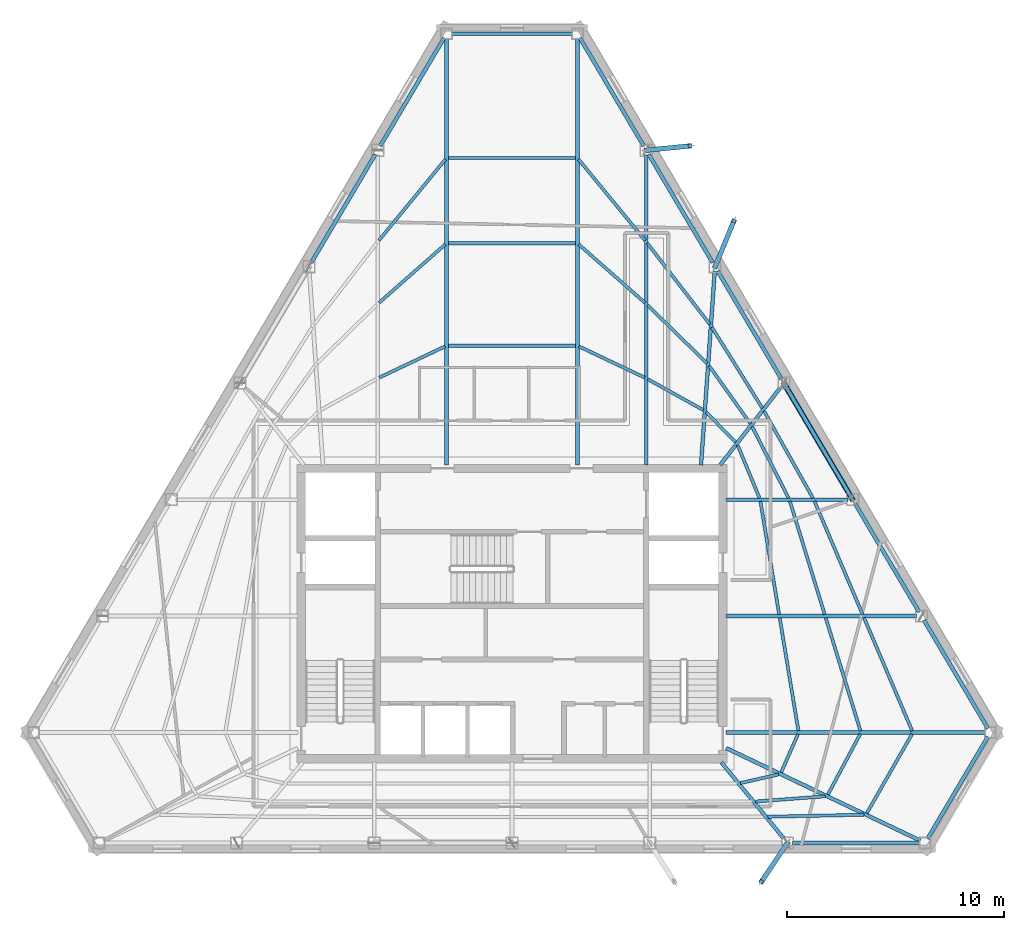
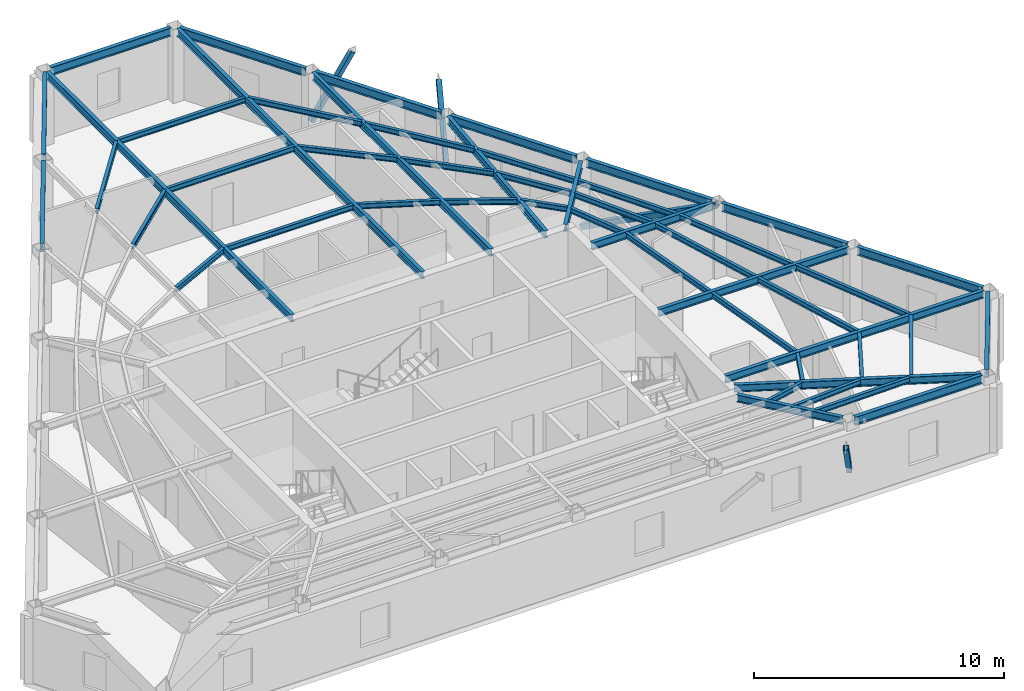
# One storey, part 2 of 10: 51 beams, 4 members.
"""IFC4 building model written with IfcOpenShell, lengths in metres."""

from ifc_helpers import new_model, si_unit, direction, frame, origin, origin_2d, place, context, subcontext, project, spatial, hollow_rectangle, i_section, extrude, material, material_profile, profile_set, type_object, element, save


model = new_model("IFC4")

# Units and contexts
model_context = context("Model", 3, precision=1e-05, world=origin(), true_north=direction((0.0, 1.0)))
body_context = subcontext(model_context, "Body", "Model", "MODEL_VIEW")
ifc_project = project(units=[si_unit("LENGTHUNIT", "METRE"), si_unit("AREAUNIT", "SQUARE_METRE"), si_unit("VOLUMEUNIT", "CUBIC_METRE"), si_unit("PLANEANGLEUNIT", "RADIAN"), si_unit("MASSUNIT", "GRAM", prefix="KILO")], contexts=[model_context])

# Site, building, storey
site_placement = place(None, origin())
site = spatial("IfcSite", under=ifc_project, at=site_placement, CompositionType="ELEMENT")
building_placement = place(site_placement, origin())
building = spatial("IfcBuilding", under=site, at=building_placement, Name="Kavelnor Concourse Tower", CompositionType="ELEMENT")
storey_placement = place(building_placement, frame((0.0, 0.0, 274.14990234375)))
storey = spatial("IfcBuildingStorey", under=building, at=storey_placement, Name="L69", CompositionType="ELEMENT", Elevation=274.14990234375)

# Beams
ifc_material = material(Name="Steel Grade 350", Category="steel")
ifc_material_profile_1 = material_profile(ifc_material, i_section(OverallWidth=0.14599609375, OverallDepth=0.256103515625, WebThickness=0.00634765625, FlangeThickness=0.010986328125, at=origin_2d()), Name="250UB37")
ifc_profile_set_1 = profile_set([ifc_material_profile_1], Name="Steel Grade 350")
beam_type_1 = type_object("IfcBeamType", Name="BM-JOIST-250", PredefinedType="JOIST", material=ifc_profile_set_1)
beam_1_placement = place(storey_placement, frame((48.5234375, 8.293212890625, 3.482177734375), z_axis=(0.975037356762, 0.222040881188, 0.0), x_axis=(-0.222040881188, 0.975037356762, 0.0)))
element("IfcBeam", 1, at=beam_1_placement, inside=storey, type_object=beam_type_1, Name="L69 Secondary Composite Joist 08-1", PredefinedType="JOIST", context=body_context, shape_type="SweptSolid", body=[
    extrude(i_section(OverallWidth=0.14599609375, OverallDepth=0.256103515625, WebThickness=0.00634765625, FlangeThickness=0.010986328125, at=origin_2d()), origin(), (0.0, 0.0, 1.0), 1.809814453125),
])
beam_2_placement = place(storey_placement, frame((49.210693359375, 7.44482421875, 3.482177734375), z_axis=(0.997260120834, 0.073974667245, 0.0), x_axis=(-0.073974667245, 0.997260120834, 0.0)))
element("IfcBeam", 2, at=beam_2_placement, inside=storey, type_object=beam_type_1, Name="L69 Secondary Composite Joist 08-2", PredefinedType="JOIST", context=body_context, shape_type="SweptSolid", body=[
    extrude(i_section(OverallWidth=0.14599609375, OverallDepth=0.256103515625, WebThickness=0.00634765625, FlangeThickness=0.010986328125, at=origin_2d()), origin(), (0.0, 0.0, 1.0), 3.23095703125),
])
beam_3_placement = place(storey_placement, frame((49.781982421875, 6.743408203125, 3.482177734375), z_axis=(0.999783986055, 0.0207841581, 0.0), x_axis=(-0.0207841581, 0.999783986055, 0.0)))
element("IfcBeam", 3, at=beam_3_placement, inside=storey, type_object=beam_type_1, Name="L69 Secondary Composite Joist 08-3", PredefinedType="JOIST", context=body_context, shape_type="SweptSolid", body=[
    extrude(i_section(OverallWidth=0.14599609375, OverallDepth=0.256103515625, WebThickness=0.00634765625, FlangeThickness=0.010986328125, at=origin_2d()), origin(), (0.0, 0.0, 1.0), 4.440185546875),
])
beam_4_placement = place(storey_placement, frame((50.401123046875, 8.788330078125, 3.482177734375), z_axis=(0.40265770896, 0.91535062649, 0.0), x_axis=(-0.91535062649, 0.40265770896, 0.0)))
element("IfcBeam", 4, at=beam_4_placement, inside=storey, type_object=beam_type_1, Name="L69 Secondary Composite Joist 09-1", PredefinedType="JOIST", context=body_context, shape_type="SweptSolid", body=[
    extrude(i_section(OverallWidth=0.14599609375, OverallDepth=0.256103515625, WebThickness=0.00634765625, FlangeThickness=0.010986328125, at=origin_2d()), origin(), (0.0, 0.0, 1.0), 1.92138671875),
])
beam_5_placement = place(storey_placement, frame((52.552978515625, 7.76220703125, 3.482177734375), z_axis=(0.470371602225, 0.88246844466, 0.0), x_axis=(-0.88246844466, 0.470371602225, 0.0)))
element("IfcBeam", 5, at=beam_5_placement, inside=storey, type_object=beam_type_1, Name="L69 Secondary Composite Joist 09-2", PredefinedType="JOIST", context=body_context, shape_type="SweptSolid", body=[
    extrude(i_section(OverallWidth=0.14599609375, OverallDepth=0.256103515625, WebThickness=0.00634765625, FlangeThickness=0.010986328125, at=origin_2d()), origin(), (0.0, 0.0, 1.0), 3.158935546875),
])
beam_6_placement = place(storey_placement, frame((54.343994140625, 6.908447265625, 3.482177734375), z_axis=(0.496589958809, 0.86798526071, 0.0), x_axis=(-0.86798526071, 0.496589958809, 0.0)))
element("IfcBeam", 6, at=beam_6_placement, inside=storey, type_object=beam_type_1, Name="L69 Secondary Composite Joist 09-3", PredefinedType="JOIST", context=body_context, shape_type="SweptSolid", body=[
    extrude(i_section(OverallWidth=0.14599609375, OverallDepth=0.256103515625, WebThickness=0.00634765625, FlangeThickness=0.010986328125, at=origin_2d()), origin(), (0.0, 0.0, 1.0), 4.196533203125),
])
beam_7_placement = place(storey_placement, frame((51.1943359375, 10.703125, 3.482177734375), z_axis=(-0.163212884705, 0.986590874814, 0.0), x_axis=(-0.986590874814, -0.163212884705, 0.0)))
element("IfcBeam", 7, at=beam_7_placement, inside=storey, type_object=beam_type_1, Name="L69 Secondary Composite Joist 10-1", PredefinedType="JOIST", context=body_context, shape_type="SweptSolid", body=[
    extrude(i_section(OverallWidth=0.14599609375, OverallDepth=0.256103515625, WebThickness=0.00634765625, FlangeThickness=0.010986328125, at=origin_2d()), origin(), (0.0, 0.0, 1.0), 5.2744140625),
])
beam_8_placement = place(storey_placement, frame((54.05322265625, 10.70068359375, 3.482177734375), z_axis=(-0.293704851404, 0.955896155585, 0.0), x_axis=(-0.955896155585, -0.293704851404, 0.0)))
element("IfcBeam", 8, at=beam_8_placement, inside=storey, type_object=beam_type_1, Name="L69 Secondary Composite Joist 10-2", PredefinedType="JOIST", context=body_context, shape_type="SweptSolid", body=[
    extrude(i_section(OverallWidth=0.14599609375, OverallDepth=0.256103515625, WebThickness=0.00634765625, FlangeThickness=0.010986328125, at=origin_2d()), origin(), (0.0, 0.0, 1.0), 5.44873046875),
])
beam_9_placement = place(storey_placement, frame((56.4365234375, 10.69775390625, 3.482177734375), z_axis=(-0.391500058088, 0.920178083046, 0.0), x_axis=(-0.920178083046, -0.391500058088, 0.0)))
element("IfcBeam", 9, at=beam_9_placement, inside=storey, type_object=beam_type_1, Name="L69 Secondary Composite Joist 10-3", PredefinedType="JOIST", context=body_context, shape_type="SweptSolid", body=[
    extrude(i_section(OverallWidth=0.14599609375, OverallDepth=0.256103515625, WebThickness=0.00634765625, FlangeThickness=0.010986328125, at=origin_2d()), origin(), (0.0, 0.0, 1.0), 5.666748046875),
])
beam_10_placement = place(storey_placement, frame((50.306640625, 16.068603515625, 3.482177734375), z_axis=(-0.163220338599, 0.986589641679, 0.0), x_axis=(-0.986589641679, -0.163220338599, 0.0)))
element("IfcBeam", 10, at=beam_10_placement, inside=storey, type_object=beam_type_1, Name="L69 Secondary Composite Joist 11-1", PredefinedType="JOIST", context=body_context, shape_type="SweptSolid", body=[
    extrude(i_section(OverallWidth=0.14599609375, OverallDepth=0.256103515625, WebThickness=0.00634765625, FlangeThickness=0.010986328125, at=origin_2d()), origin(), (0.0, 0.0, 1.0), 5.274169921875),
])
beam_11_placement = place(storey_placement, frame((52.40478515625, 16.06591796875, 3.482177734375), z_axis=(-0.293745791729, 0.955883575464, 0.0), x_axis=(-0.955883575464, -0.293745791729, 0.0)))
element("IfcBeam", 11, at=beam_11_placement, inside=storey, type_object=beam_type_1, Name="L69 Secondary Composite Joist 11-2", PredefinedType="JOIST", context=body_context, shape_type="SweptSolid", body=[
    extrude(i_section(OverallWidth=0.14599609375, OverallDepth=0.256103515625, WebThickness=0.00634765625, FlangeThickness=0.010986328125, at=origin_2d()), origin(), (0.0, 0.0, 1.0), 5.448974609375),
])
beam_12_placement = place(storey_placement, frame((54.15380859375, 16.06298828125, 3.482177734375), z_axis=(-0.391463577144, 0.920193603417, 0.0), x_axis=(-0.920193603417, -0.391463577144, 0.0)))
element("IfcBeam", 12, at=beam_12_placement, inside=storey, type_object=beam_type_1, Name="L69 Secondary Composite Joist 11-3", PredefinedType="JOIST", context=body_context, shape_type="SweptSolid", body=[
    extrude(i_section(OverallWidth=0.14599609375, OverallDepth=0.256103515625, WebThickness=0.00634765625, FlangeThickness=0.010986328125, at=origin_2d()), origin(), (0.0, 0.0, 1.0), 5.66650390625),
])
beam_13_placement = place(storey_placement, frame((49.401123046875, 21.4287109375, 3.482177734375), z_axis=(-0.381956272645, 0.924180396777, 0.0), x_axis=(-0.924180396777, -0.381956272645, 0.0)))
element("IfcBeam", 13, at=beam_13_placement, inside=storey, type_object=beam_type_1, Name="L69 Secondary Composite Joist 12-1", PredefinedType="JOIST", context=body_context, shape_type="SweptSolid", body=[
    extrude(i_section(OverallWidth=0.14599609375, OverallDepth=0.256103515625, WebThickness=0.00634765625, FlangeThickness=0.010986328125, at=origin_2d()), origin(), (0.0, 0.0, 1.0), 2.63525390625),
])
beam_14_placement = place(storey_placement, frame((50.742919921875, 21.42578125, 3.482177734375), z_axis=(-0.454860774217, 0.890562561575, 0.0), x_axis=(-0.890562561575, -0.454860774217, 0.0)))
element("IfcBeam", 14, at=beam_14_placement, inside=storey, type_object=beam_type_1, Name="L69 Secondary Composite Joist 12-2", PredefinedType="JOIST", context=body_context, shape_type="SweptSolid", body=[
    extrude(i_section(OverallWidth=0.14599609375, OverallDepth=0.256103515625, WebThickness=0.00634765625, FlangeThickness=0.010986328125, at=origin_2d()), origin(), (0.0, 0.0, 1.0), 3.6953125),
])
beam_15_placement = place(storey_placement, frame((51.86328125, 21.42431640625, 3.482177734375), z_axis=(-0.489571652751, 0.87196307079, 0.0), x_axis=(-0.87196307079, -0.489571652751, 0.0)))
element("IfcBeam", 15, at=beam_15_placement, inside=storey, type_object=beam_type_1, Name="L69 Secondary Composite Joist 12-3", PredefinedType="JOIST", context=body_context, shape_type="SweptSolid", body=[
    extrude(i_section(OverallWidth=0.14599609375, OverallDepth=0.256103515625, WebThickness=0.00634765625, FlangeThickness=0.010986328125, at=origin_2d()), origin(), (0.0, 0.0, 1.0), 4.58984375),
])
beam_16_placement = place(storey_placement, frame((48.3056640625, 23.998291015625, 3.482177734375), z_axis=(-0.702311290202, 0.711869968221, 0.0), x_axis=(-0.711869968221, -0.702311290202, 0.0)))
element("IfcBeam", 16, at=beam_16_placement, inside=storey, type_object=beam_type_1, Name="L69 Secondary Composite Joist 13-1", PredefinedType="JOIST", context=body_context, shape_type="SweptSolid", body=[
    extrude(i_section(OverallWidth=0.14599609375, OverallDepth=0.256103515625, WebThickness=0.00634765625, FlangeThickness=0.010986328125, at=origin_2d()), origin(), (0.0, 0.0, 1.0), 1.941162109375),
])
beam_17_placement = place(storey_placement, frame((48.977294921875, 24.856689453125, 3.482177734375), z_axis=(-0.580352965248, 0.814365050655, 0.0), x_axis=(-0.814365050655, -0.580352965248, 0.0)))
element("IfcBeam", 17, at=beam_17_placement, inside=storey, type_object=beam_type_1, Name="L69 Secondary Composite Joist 13-2", PredefinedType="JOIST", context=body_context, shape_type="SweptSolid", body=[
    extrude(i_section(OverallWidth=0.14599609375, OverallDepth=0.256103515625, WebThickness=0.00634765625, FlangeThickness=0.010986328125, at=origin_2d()), origin(), (0.0, 0.0, 1.0), 3.262451171875),
])
beam_18_placement = place(storey_placement, frame((49.53271484375, 25.567626953125, 3.482177734375), z_axis=(-0.529459435071, 0.848335256025, 0.0), x_axis=(-0.848335256025, -0.529459435071, 0.0)))
element("IfcBeam", 18, at=beam_18_placement, inside=storey, type_object=beam_type_1, Name="L69 Secondary Composite Joist 13-3", PredefinedType="JOIST", context=body_context, shape_type="SweptSolid", body=[
    extrude(i_section(OverallWidth=0.14599609375, OverallDepth=0.256103515625, WebThickness=0.00634765625, FlangeThickness=0.010986328125, at=origin_2d()), origin(), (0.0, 0.0, 1.0), 4.39404296875),
])
beam_19_placement = place(storey_placement, frame((46.81298828125, 25.478515625, 3.482177734375), z_axis=(-0.873846112907, 0.486202602788, 0.0), x_axis=(-0.486202602788, -0.873846112907, 0.0)))
element("IfcBeam", 19, at=beam_19_placement, inside=storey, type_object=beam_type_1, Name="L69 Secondary Composite Joist 14-1", PredefinedType="JOIST", context=body_context, shape_type="SweptSolid", body=[
    extrude(i_section(OverallWidth=0.14599609375, OverallDepth=0.256103515625, WebThickness=0.00634765625, FlangeThickness=0.010986328125, at=origin_2d()), origin(), (0.0, 0.0, 1.0), 2.925537109375),
])
beam_20_placement = place(storey_placement, frame((46.977783203125, 27.637451171875, 3.482177734375), z_axis=(-0.714755648528, 0.699374265253, 0.0), x_axis=(-0.699374265253, -0.714755648528, 0.0)))
element("IfcBeam", 20, at=beam_20_placement, inside=storey, type_object=beam_type_1, Name="L69 Secondary Composite Joist 14-2", PredefinedType="JOIST", context=body_context, shape_type="SweptSolid", body=[
    extrude(i_section(OverallWidth=0.14599609375, OverallDepth=0.256103515625, WebThickness=0.00634765625, FlangeThickness=0.010986328125, at=origin_2d()), origin(), (0.0, 0.0, 1.0), 3.8251953125),
])
beam_21_placement = place(storey_placement, frame((47.11279296875, 29.4296875, 3.482177734375), z_axis=(-0.610513952254, 0.792005501308, 0.0), x_axis=(-0.792005501308, -0.610513952254, 0.0)))
element("IfcBeam", 21, at=beam_21_placement, inside=storey, type_object=beam_type_1, Name="L69 Secondary Composite Joist 14-3", PredefinedType="JOIST", context=body_context, shape_type="SweptSolid", body=[
    extrude(i_section(OverallWidth=0.14599609375, OverallDepth=0.256103515625, WebThickness=0.00634765625, FlangeThickness=0.010986328125, at=origin_2d()), origin(), (0.0, 0.0, 1.0), 4.713623046875),
])
beam_22_placement = place(storey_placement, frame((44.11083984375, 26.975830078125, 3.482177734375), z_axis=(-0.903660524352, 0.428249526244, 0.0), x_axis=(-0.428249526244, -0.903660524352, 0.0)))
element("IfcBeam", 22, at=beam_22_placement, inside=storey, type_object=beam_type_1, Name="L69 Secondary Composite Joist 15-1", PredefinedType="JOIST", context=body_context, shape_type="SweptSolid", body=[
    extrude(i_section(OverallWidth=0.14599609375, OverallDepth=0.256103515625, WebThickness=0.00634765625, FlangeThickness=0.010986328125, at=origin_2d()), origin(), (0.0, 0.0, 1.0), 3.34423828125),
])
beam_23_placement = place(storey_placement, frame((44.123291015625, 30.42431640625, 3.482177734375), z_axis=(-0.750665785873, 0.660682130771, 0.0), x_axis=(-0.660682130771, -0.750665785873, 0.0)))
element("IfcBeam", 23, at=beam_23_placement, inside=storey, type_object=beam_type_1, Name="L69 Secondary Composite Joist 15-2", PredefinedType="JOIST", context=body_context, shape_type="SweptSolid", body=[
    extrude(i_section(OverallWidth=0.14599609375, OverallDepth=0.256103515625, WebThickness=0.00634765625, FlangeThickness=0.010986328125, at=origin_2d()), origin(), (0.0, 0.0, 1.0), 4.058837890625),
])
beam_24_placement = place(storey_placement, frame((44.133056640625, 33.291259765625, 3.482177734375), z_axis=(-0.634428068427, 0.772981905346, 0.0), x_axis=(-0.772981905346, -0.634428068427, 0.0)))
element("IfcBeam", 24, at=beam_24_placement, inside=storey, type_object=beam_type_1, Name="L69 Secondary Composite Joist 15-3", PredefinedType="JOIST", context=body_context, shape_type="SweptSolid", body=[
    extrude(i_section(OverallWidth=0.14599609375, OverallDepth=0.256103515625, WebThickness=0.00634765625, FlangeThickness=0.010986328125, at=origin_2d()), origin(), (0.0, 0.0, 1.0), 4.833251953125),
])
for number, where, z_axis, x_axis, name in (
    (25, (40.9326171875, 28.443115234375, 3.482177734375), (-1.0, 0.0, 0.0), (0.0, -1.0, 0.0), "L69 Secondary Composite Joist 16-1"),
    (26, (40.9326171875, 33.159912109375, 3.482177734375), (-1.0, 0.0, 0.0), (0.0, -1.0, 0.0), "L69 Secondary Composite Joist 16-2"),
    (27, (40.9326171875, 37.0908203125, 3.482177734375), (-1.0, 0.0, 0.0), (0.0, -1.0, 0.0), "L69 Secondary Composite Joist 16-3"),
):
    element("IfcBeam", number, at=place(storey_placement, frame(where, z_axis=z_axis, x_axis=x_axis)), inside=storey, type_object=beam_type_1, Name=name, PredefinedType="JOIST", context=body_context, shape_type="SweptSolid", body=[
        extrude(i_section(OverallWidth=0.14599609375, OverallDepth=0.256103515625, WebThickness=0.00634765625, FlangeThickness=0.010986328125, at=origin_2d()), origin(), (0.0, 0.0, 1.0), 5.865234375),
    ])
beam_25_placement = place(storey_placement, frame((34.9111328125, 28.407958984375, 3.482177734375), z_axis=(-0.903660524352, -0.428249526244, 0.0), x_axis=(0.428249526244, -0.903660524352, 0.0)))
element("IfcBeam", 28, at=beam_25_placement, inside=storey, type_object=beam_type_1, Name="L69 Secondary Composite Joist 17-1", PredefinedType="JOIST", context=body_context, shape_type="SweptSolid", body=[
    extrude(i_section(OverallWidth=0.14599609375, OverallDepth=0.256103515625, WebThickness=0.00634765625, FlangeThickness=0.010986328125, at=origin_2d()), origin(), (0.0, 0.0, 1.0), 3.34423828125),
])
beam_26_placement = place(storey_placement, frame((34.923583984375, 33.10595703125, 3.482177734375), z_axis=(-0.750665785873, -0.660682130771, 0.0), x_axis=(0.660682130771, -0.750665785873, 0.0)))
element("IfcBeam", 29, at=beam_26_placement, inside=storey, type_object=beam_type_1, Name="L69 Secondary Composite Joist 17-2", PredefinedType="JOIST", context=body_context, shape_type="SweptSolid", body=[
    extrude(i_section(OverallWidth=0.14599609375, OverallDepth=0.256103515625, WebThickness=0.00634765625, FlangeThickness=0.010986328125, at=origin_2d()), origin(), (0.0, 0.0, 1.0), 4.058837890625),
])
beam_27_placement = place(storey_placement, frame((34.933349609375, 37.02734375, 3.482177734375), z_axis=(-0.634428068427, -0.772981905346, 0.0), x_axis=(0.772981905346, -0.634428068427, 0.0)))
element("IfcBeam", 30, at=beam_27_placement, inside=storey, type_object=beam_type_1, Name="L69 Secondary Composite Joist 17-3", PredefinedType="JOIST", context=body_context, shape_type="SweptSolid", body=[
    extrude(i_section(OverallWidth=0.14599609375, OverallDepth=0.256103515625, WebThickness=0.00634765625, FlangeThickness=0.010986328125, at=origin_2d()), origin(), (0.0, 0.0, 1.0), 4.833251953125),
])
ifc_material_profile_2 = material_profile(ifc_material, i_section(OverallWidth=0.172119140625, OverallDepth=0.35888671875, WebThickness=0.008056640625, FlangeThickness=0.012939453125, at=origin_2d()), Name="360UB56")
ifc_profile_set_2 = profile_set([ifc_material_profile_2], Name="Steel Grade 350")
beam_type_2 = type_object("IfcBeamType", Name="BM-PRIMARY-360", PredefinedType="BEAM", material=ifc_profile_set_2)
beam_28_placement = place(storey_placement, frame((34.9853515625, 22.93994140625, 3.4306640625), z_axis=(0.0, 1.0, 0.0), x_axis=(-1.0, 0.0, 0.0)))
element("IfcBeam", 31, at=beam_28_placement, inside=storey, type_object=beam_type_2, Name="L69 Primary Floor Girder F0-B0", PredefinedType="BEAM", context=body_context, shape_type="SweptSolid", body=[
    extrude(i_section(OverallWidth=0.172119140625, OverallDepth=0.35888671875, WebThickness=0.008056640625, FlangeThickness=0.012939453125, at=origin_2d()), origin(), (0.0, 0.0, 1.0), 19.654052734375),
])
beam_29_placement = place(storey_placement, frame((47.643798828125, 9.2509765625, 3.4306640625), z_axis=(0.63386898138, -0.77344044014, 0.0), x_axis=(0.77344044014, 0.63386898138, 0.0)))
element("IfcBeam", 32, at=beam_29_placement, inside=storey, type_object=beam_type_2, Name="L69 Primary Floor Girder F1-B5", PredefinedType="BEAM", context=body_context, shape_type="SweptSolid", body=[
    extrude(i_section(OverallWidth=0.172119140625, OverallDepth=0.35888671875, WebThickness=0.008056640625, FlangeThickness=0.012939453125, at=origin_2d()), origin(), (0.0, 0.0, 1.0), 4.505859375),
])
beam_30_placement = place(storey_placement, frame((47.864013671875, 9.906982421875, 3.4306640625), z_axis=(0.902681438806, -0.430309446834, 0.0), x_axis=(0.430309446834, 0.902681438806, 0.0)))
element("IfcBeam", 33, at=beam_30_placement, inside=storey, type_object=beam_type_2, Name="L69 Primary Floor Girder F1-B6", PredefinedType="BEAM", context=body_context, shape_type="SweptSolid", body=[
    extrude(i_section(OverallWidth=0.172119140625, OverallDepth=0.35888671875, WebThickness=0.008056640625, FlangeThickness=0.012939453125, at=origin_2d()), origin(), (0.0, 0.0, 1.0), 9.90771484375),
])
beam_31_placement = place(storey_placement, frame((47.860107421875, 10.622314453125, 3.4306640625), z_axis=(1.0, 0.0, 0.0), x_axis=(0.0, 1.0, 0.0)))
element("IfcBeam", 34, at=beam_31_placement, inside=storey, type_object=beam_type_2, Name="L69 Primary Floor Girder F2-B0", PredefinedType="BEAM", context=body_context, shape_type="SweptSolid", body=[
    extrude(i_section(OverallWidth=0.172119140625, OverallDepth=0.35888671875, WebThickness=0.008056640625, FlangeThickness=0.012939453125, at=origin_2d()), origin(), (0.0, 0.0, 1.0), 11.956298828125),
])
beam_32_placement = place(storey_placement, frame((47.860107421875, 15.987548828125, 3.4306640625), z_axis=(1.0, 0.0, 0.0), x_axis=(0.0, 1.0, 0.0)))
element("IfcBeam", 35, at=beam_32_placement, inside=storey, type_object=beam_type_2, Name="L69 Primary Floor Girder F2-B1", PredefinedType="BEAM", context=body_context, shape_type="SweptSolid", body=[
    extrude(i_section(OverallWidth=0.172119140625, OverallDepth=0.35888671875, WebThickness=0.008056640625, FlangeThickness=0.012939453125, at=origin_2d()), origin(), (0.0, 0.0, 1.0), 8.785888671875),
])
beam_33_placement = place(storey_placement, frame((47.860107421875, 21.352783203125, 3.4306640625), z_axis=(1.0, 0.0, 0.0), x_axis=(0.0, 1.0, 0.0)))
element("IfcBeam", 36, at=beam_33_placement, inside=storey, type_object=beam_type_2, Name="L69 Primary Floor Girder F2-B2", PredefinedType="BEAM", context=body_context, shape_type="SweptSolid", body=[
    extrude(i_section(OverallWidth=0.172119140625, OverallDepth=0.35888671875, WebThickness=0.008056640625, FlangeThickness=0.012939453125, at=origin_2d()), origin(), (0.0, 0.0, 1.0), 5.61572265625),
])
beam_34_placement = place(storey_placement, frame((47.591552734375, 22.948486328125, 3.4306640625), z_axis=(0.614189176574, 0.789158827727, 0.0), x_axis=(-0.789158827727, 0.614189176574, 0.0)))
element("IfcBeam", 37, at=beam_34_placement, inside=storey, type_object=beam_type_2, Name="L69 Primary Floor Girder F2-B3", PredefinedType="BEAM", context=body_context, shape_type="SweptSolid", body=[
    extrude(i_section(OverallWidth=0.172119140625, OverallDepth=0.35888671875, WebThickness=0.008056640625, FlangeThickness=0.012939453125, at=origin_2d()), origin(), (0.0, 0.0, 1.0), 4.4873046875),
])
beam_35_placement = place(storey_placement, frame((46.707763671875, 22.940185546875, 3.4306640625), z_axis=(0.070632200105, 0.997502427219, 0.0), x_axis=(-0.997502427219, 0.070632200105, 0.0)))
element("IfcBeam", 38, at=beam_35_placement, inside=storey, type_object=beam_type_2, Name="L69 Primary Floor Girder F2-B4", PredefinedType="BEAM", context=body_context, shape_type="SweptSolid", body=[
    extrude(i_section(OverallWidth=0.172119140625, OverallDepth=0.35888671875, WebThickness=0.008056640625, FlangeThickness=0.012939453125, at=origin_2d()), origin(), (0.0, 0.0, 1.0), 8.945556640625),
])
beam_36_placement = place(storey_placement, frame((44.18505859375, 22.93994140625, 3.4306640625), z_axis=(0.0, 1.0, 0.0), x_axis=(-1.0, 0.0, 0.0)))
element("IfcBeam", 39, at=beam_36_placement, inside=storey, type_object=beam_type_2, Name="L69 Primary Floor Girder F2-B5", PredefinedType="BEAM", context=body_context, shape_type="SweptSolid", body=[
    extrude(i_section(OverallWidth=0.172119140625, OverallDepth=0.35888671875, WebThickness=0.008056640625, FlangeThickness=0.012939453125, at=origin_2d()), origin(), (0.0, 0.0, 1.0), 14.28857421875),
])
beam_37_placement = place(storey_placement, frame((41.0146484375, 22.93994140625, 3.4306640625), z_axis=(0.0, 1.0, 0.0), x_axis=(-1.0, 0.0, 0.0)))
element("IfcBeam", 40, at=beam_37_placement, inside=storey, type_object=beam_type_2, Name="L69 Primary Floor Girder F2-B6", PredefinedType="BEAM", context=body_context, shape_type="SweptSolid", body=[
    extrude(i_section(OverallWidth=0.172119140625, OverallDepth=0.35888671875, WebThickness=0.008056640625, FlangeThickness=0.012939453125, at=origin_2d()), origin(), (0.0, 0.0, 1.0), 19.654052734375),
])
ifc_material_profile_3 = material_profile(ifc_material, i_section(OverallWidth=0.177978515625, OverallDepth=0.406005859375, WebThickness=0.0078125, FlangeThickness=0.0126953125, at=origin_2d()), Name="410UB59")
ifc_profile_set_3 = profile_set([ifc_material_profile_3], Name="Steel Grade 350")
beam_type_3 = type_object("IfcBeamType", Name="BM-SPANDREL-Z4", PredefinedType="SPANDREL", material=ifc_profile_set_3)
beam_38_placement = place(storey_placement, frame((34.870849609375, 42.6201171875, 3.406982421875), z_axis=(-0.508727889535, -0.860927368835, 0.0), x_axis=(0.860927368835, -0.508727889535, 0.0)))
element("IfcBeam", 41, at=beam_38_placement, inside=storey, type_object=beam_type_3, Name="L69 Perimeter Tube Spandrel Beam F0-B0", PredefinedType="SPANDREL", context=body_context, shape_type="SweptSolid", body=[
    extrude(i_section(OverallWidth=0.177978515625, OverallDepth=0.406005859375, WebThickness=0.0078125, FlangeThickness=0.0126953125, at=origin_2d()), origin(), (0.0, 0.0, 1.0), 5.781982421875),
])
beam_39_placement = place(storey_placement, frame((31.700439453125, 37.2548828125, 3.406982421875), z_axis=(-0.508696591461, -0.860945862314, 0.0), x_axis=(0.860945862314, -0.508696591461, 0.0)))
element("IfcBeam", 42, at=beam_39_placement, inside=storey, type_object=beam_type_3, Name="L69 Perimeter Tube Spandrel Beam F0-B1", PredefinedType="SPANDREL", context=body_context, shape_type="SweptSolid", body=[
    extrude(i_section(OverallWidth=0.177978515625, OverallDepth=0.406005859375, WebThickness=0.0078125, FlangeThickness=0.0126953125, at=origin_2d()), origin(), (0.0, 0.0, 1.0), 5.78173828125),
])
beam_40_placement = place(storey_placement, frame((40.789794921875, 42.81396484375, 3.406982421875), z_axis=(-1.0, 0.0, 0.0), x_axis=(0.0, -1.0, 0.0)))
element("IfcBeam", 43, at=beam_40_placement, inside=storey, type_object=beam_type_3, Name="L69 Chamfer Facet Spandrel Beam C0", PredefinedType="SPANDREL", context=body_context, shape_type="SweptSolid", body=[
    extrude(i_section(OverallWidth=0.177978515625, OverallDepth=0.406005859375, WebThickness=0.0078125, FlangeThickness=0.0126953125, at=origin_2d()), origin(), (0.0, 0.0, 1.0), 5.57958984375),
])
beam_41_placement = place(storey_placement, frame((50.91259765625, 5.536865234375, 3.406982421875), z_axis=(1.0, 0.0, 0.0), x_axis=(0.0, 1.0, 0.0)))
element("IfcBeam", 44, at=beam_41_placement, inside=storey, type_object=beam_type_3, Name="L69 Perimeter Tube Spandrel Beam F1-B5", PredefinedType="SPANDREL", context=body_context, shape_type="SweptSolid", body=[
    extrude(i_section(OverallWidth=0.177978515625, OverallDepth=0.406005859375, WebThickness=0.0078125, FlangeThickness=0.0126953125, at=origin_2d()), origin(), (0.0, 0.0, 1.0), 5.893798828125),
])
for number, where, z_axis, x_axis, name in (
    (45, (59.921875, 10.81591796875, 3.406982421875), (-0.508678098709, 0.860956788634, 0.0), (-0.860956788634, -0.508678098709, 0.0), "L69 Perimeter Tube Spandrel Beam F2-B0"),
    (46, (56.751708984375, 16.181396484375, 3.406982421875), (-0.508727889535, 0.860927368835, 0.0), (-0.860927368835, -0.508727889535, 0.0), "L69 Perimeter Tube Spandrel Beam F2-B1"),
    (47, (53.581298828125, 21.54638671875, 3.406982421875), (-0.508709396439, 0.860938296264, 0.0), (-0.860938296264, -0.508709396439, 0.0), "L69 Perimeter Tube Spandrel Beam F2-B2"),
):
    element("IfcBeam", number, at=place(storey_placement, frame(where, z_axis=z_axis, x_axis=x_axis)), inside=storey, type_object=beam_type_3, Name=name, PredefinedType="SPANDREL", context=body_context, shape_type="SweptSolid", body=[
        extrude(i_section(OverallWidth=0.177978515625, OverallDepth=0.406005859375, WebThickness=0.0078125, FlangeThickness=0.0126953125, at=origin_2d()), origin(), (0.0, 0.0, 1.0), 5.781982421875),
    ])
for number, where, z_axis, x_axis, name in (
    (48, (50.410888671875, 26.911865234375, 3.406982421875), (-0.508696591461, 0.860945862314, 0.0), (-0.860945862314, -0.508696591461, 0.0), "L69 Perimeter Tube Spandrel Beam F2-B3"),
    (49, (47.24072265625, 32.277099609375, 3.406982421875), (-0.508696591461, 0.860945862314, 0.0), (-0.860945862314, -0.508696591461, 0.0), "L69 Perimeter Tube Spandrel Beam F2-B4"),
):
    element("IfcBeam", number, at=place(storey_placement, frame(where, z_axis=z_axis, x_axis=x_axis)), inside=storey, type_object=beam_type_3, Name=name, PredefinedType="SPANDREL", context=body_context, shape_type="SweptSolid", body=[
        extrude(i_section(OverallWidth=0.177978515625, OverallDepth=0.406005859375, WebThickness=0.0078125, FlangeThickness=0.0126953125, at=origin_2d()), origin(), (0.0, 0.0, 1.0), 5.78173828125),
    ])
beam_42_placement = place(storey_placement, frame((44.070556640625, 37.642333984375, 3.406982421875), z_axis=(-0.508727889535, 0.860927368835, 0.0), x_axis=(-0.860927368835, -0.508727889535, 0.0)))
element("IfcBeam", 50, at=beam_42_placement, inside=storey, type_object=beam_type_3, Name="L69 Perimeter Tube Spandrel Beam F2-B5", PredefinedType="SPANDREL", context=body_context, shape_type="SweptSolid", body=[
    extrude(i_section(OverallWidth=0.177978515625, OverallDepth=0.406005859375, WebThickness=0.0078125, FlangeThickness=0.0126953125, at=origin_2d()), origin(), (0.0, 0.0, 1.0), 5.781982421875),
])
beam_43_placement = place(storey_placement, frame((57.14599609375, 5.73046875, 3.406982421875), z_axis=(0.508681078293, 0.860955028202, 0.0), x_axis=(-0.860955028202, 0.508681078293, 0.0)))
element("IfcBeam", 51, at=beam_43_placement, inside=storey, type_object=beam_type_3, Name="L69 Chamfer Facet Spandrel Beam C2", PredefinedType="SPANDREL", context=body_context, shape_type="SweptSolid", body=[
    extrude(i_section(OverallWidth=0.177978515625, OverallDepth=0.406005859375, WebThickness=0.0078125, FlangeThickness=0.0126953125, at=origin_2d()), origin(), (0.0, 0.0, 1.0), 5.45703125),
])

# Members
ifc_material_profile_4 = material_profile(ifc_material, hollow_rectangle(XDim=0.219970703125, YDim=0.219970703125, WallThickness=0.013916015625, at=origin_2d()), Name="SHS 220x220x14")
ifc_profile_set_4 = profile_set([ifc_material_profile_4], Name="Steel Grade 350")
member_type_1 = type_object("IfcMemberType", Name="MBR-BALC-STRUT-220", PredefinedType="STRUT", material=ifc_profile_set_4)
member_1_placement = place(storey_placement, frame((50.6875, 5.536865234375, 1.050048828125), z_axis=(-0.35476520806, -0.529403292972, 0.770632078583), x_axis=(0.83072280877, -0.556686280583, 0.0)))
element("IfcMember", 52, at=member_1_placement, inside=storey, type_object=member_type_1, Name="L69 Tree Balcony Raking Knee Strut 1-B", PredefinedType="STRUT", context=body_context, shape_type="SweptSolid", body=[
    extrude(hollow_rectangle(XDim=0.219970703125, YDim=0.219970703125, WallThickness=0.013916015625, at=origin_2d()), origin(), (0.0, 0.0, 1.0), 3.38037109375),
])
member_2_placement = place(storey_placement, frame((47.355224609375, 32.08349609375, 1.050048828125), z_axis=(0.251088486361, 0.610078111882, 0.751504670258), x_axis=(-0.924742203639, 0.380594084042, 0.0)))
element("IfcMember", 53, at=member_2_placement, inside=storey, type_object=member_type_1, Name="L69 Tree Balcony Raking Knee Strut 2-A", PredefinedType="STRUT", context=body_context, shape_type="SweptSolid", body=[
    extrude(hollow_rectangle(XDim=0.219970703125, YDim=0.219970703125, WallThickness=0.013916015625, at=origin_2d()), origin(), (0.0, 0.0, 1.0), 3.46630859375),
])
member_3_placement = place(storey_placement, frame((44.18505859375, 37.448486328125, 1.050048828125), z_axis=(0.610838847859, 0.060447594319, 0.789444102066), x_axis=(-0.098477326058, 0.995139294899, 0.0)))
element("IfcMember", 54, at=member_3_placement, inside=storey, type_object=member_type_1, Name="L69 Tree Balcony Raking Knee Strut 2-B", PredefinedType="STRUT", context=body_context, shape_type="SweptSolid", body=[
    extrude(hollow_rectangle(XDim=0.219970703125, YDim=0.219970703125, WallThickness=0.013916015625, at=origin_2d()), origin(), (0.0, 0.0, 1.0), 3.2998046875),
])
ifc_material_profile_5 = material_profile(ifc_material, hollow_rectangle(XDim=0.25, YDim=0.25, WallThickness=0.01611328125, at=origin_2d()), Name="SHS 250x250x16")
ifc_profile_set_5 = profile_set([ifc_material_profile_5], Name="Steel Grade 350")
member_type_2 = type_object("IfcMemberType", Name="MBR-TUBE-DIAG-Z4", PredefinedType="BRACE", material=ifc_profile_set_5)
member_4_placement = place(storey_placement, frame((50.525390625, 26.718017578125, 0.22021484375), z_axis=(0.452949348293, -0.766518934089, 0.455286296262), x_axis=(0.860923408547, 0.508734591527, 0.0)))
element("IfcMember", 55, at=member_4_placement, inside=storey, type_object=member_type_2, Name="L69 Framed-Tube Bracing Diagonal F2-B2", PredefinedType="BRACE", context=body_context, shape_type="SweptSolid", body=[
    extrude(hollow_rectangle(XDim=0.25, YDim=0.25, WallThickness=0.01611328125, at=origin_2d()), origin(), (0.0, 0.0, 1.0), 6.99951171875),
])

save(model, "model.ifc")
